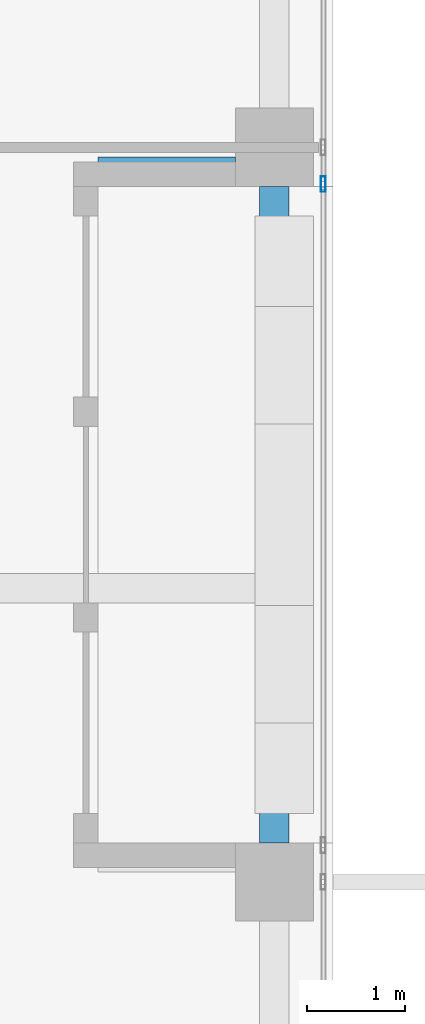
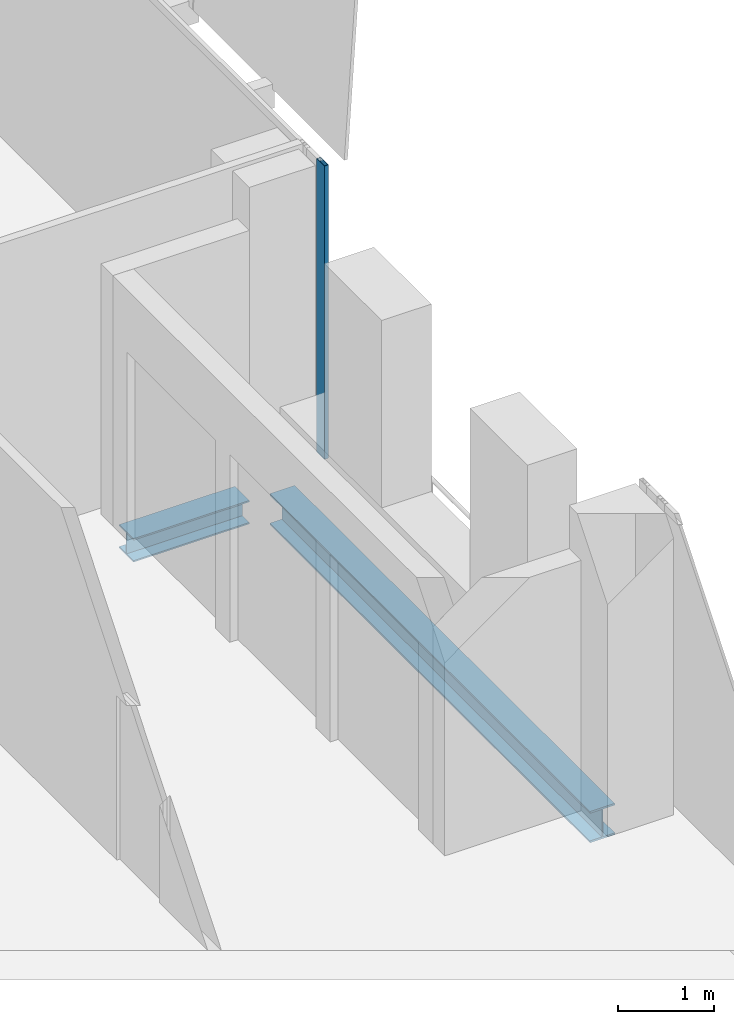
# One storey, part 10 of 32: 2 beams, 1 member, 1 element without a shape of its own.
"""IFC4 building model written with IfcOpenShell, lengths in metres."""

from ifc_helpers import new_model, si_unit, direction, frame, origin, origin_2d, place, context, subcontext, project, spatial, hollow_rectangle, i_section, extrude, source, transform, mapped, material, material_profile, profile_set, type_object, element, aggregate, save


model = new_model("IFC4")

# Units and contexts
model_context = context("Model", 3, precision=1e-05, world=origin(), true_north=direction((0.0, 1.0)))
body_context = subcontext(model_context, "Body", "Model", "MODEL_VIEW")
ifc_project = project(units=[si_unit("LENGTHUNIT", "METRE"), si_unit("AREAUNIT", "SQUARE_METRE"), si_unit("VOLUMEUNIT", "CUBIC_METRE"), si_unit("PLANEANGLEUNIT", "RADIAN"), si_unit("MASSUNIT", "GRAM", prefix="KILO")], contexts=[model_context])

# Site, building, storey
site_placement = place(None, origin())
site = spatial("IfcSite", under=ifc_project, at=site_placement, CompositionType="ELEMENT")
building_placement = place(site_placement, origin())
building = spatial("IfcBuilding", under=site, at=building_placement, Name="Khomas Fold Tower", CompositionType="ELEMENT")
storey_placement = place(building_placement, frame((0.0, 0.0, 318.199951171875)))
storey = spatial("IfcBuildingStorey", under=building, at=storey_placement, Name="L72", CompositionType="ELEMENT", Elevation=318.199951171875)

# Beams
ifc_material_1 = material(Name="Steel S355", Category="steel")
ifc_material_profile_1 = material_profile(ifc_material_1, i_section(OverallWidth=0.300048828125, OverallDepth=0.39990234375, WebThickness=0.013427734375, FlangeThickness=0.02392578125, at=origin_2d()), Name="HE 400 B")
ifc_profile_set_1 = profile_set([ifc_material_profile_1], Name="Steel S355")
beam_type_1 = type_object("IfcBeamType", Name="HE 400 B spandrel SB5", PredefinedType="SPANDREL", material=ifc_profile_set_1)
shared_shape_1 = source(origin(), body_context, "Body", "SweptSolid", [
    extrude(i_section(OverallWidth=0.300048828125, OverallDepth=0.39990234375, WebThickness=0.013427734375, FlangeThickness=0.02392578125, at=origin_2d()), origin(), (0.0, 0.0, 1.0), 6.7001953125),
])
beam_1_placement = place(storey_placement, frame((47.39990234375, 19.89990234375, -0.449951171875), z_axis=(0.0, 1.0, 0.0), x_axis=(-1.0, 0.0, 0.0)))
element("IfcBeam", 1, at=beam_1_placement, inside=storey, type_object=beam_type_1, Name="SB5", PredefinedType="SPANDREL", context=body_context, shape_type="MappedRepresentation", body=[
    mapped(shared_shape_1, transform((0.0, 0.0, 0.0))),
])
ifc_material_2 = material(Name="Steel S355", Category="steel")
ifc_material_profile_2 = material_profile(ifc_material_2, i_section(OverallWidth=0.300048828125, OverallDepth=0.300048828125, WebThickness=0.010986328125, FlangeThickness=0.01904296875, at=origin_2d()), Name="HE 300 B")
ifc_profile_set_2 = profile_set([ifc_material_profile_2], Name="Steel S355")
beam_type_2 = type_object("IfcBeamType", Name="HE 300 B beam BB1", PredefinedType="BEAM", material=ifc_profile_set_2)
shared_shape_2 = source(origin(), body_context, "Body", "SweptSolid", [
    extrude(i_section(OverallWidth=0.300048828125, OverallDepth=0.300048828125, WebThickness=0.010986328125, FlangeThickness=0.01904296875, at=origin_2d()), origin(), (0.0, 0.0, 1.0), 1.39990234375),
])
beam_2_placement = place(storey_placement, frame((45.60009765625, 26.75, -0.39990234375), z_axis=(1.0, 0.0, 0.0), x_axis=(0.0, 1.0, 0.0)))
element("IfcBeam", 2, at=beam_2_placement, inside=storey, type_object=beam_type_2, Name="BB1", PredefinedType="BEAM", context=body_context, shape_type="MappedRepresentation", body=[
    mapped(shared_shape_2, transform((0.0, 0.0, 0.0))),
])

# Curtain wall, member
ifc_material_3 = material(Name="Aluminium framed double glazing", Category="aluminium")
curtain_wall_type = type_object("IfcCurtainWallType", Name="SK-Unitised clear-glass wall, upper floors CW3", PredefinedType="NOTDEFINED", material=ifc_material_3)
curtain_wall_placement = place(storey_placement, origin())
curtain_wall = element("IfcCurtainWall", 3, at=curtain_wall_placement, inside=storey, type_object=curtain_wall_type, Name="CW3 run L72 03-1", PredefinedType="NOTDEFINED")
ifc_material_4 = material(Name="Aluminium", Category="aluminium")
ifc_material_profile_3 = material_profile(ifc_material_4, hollow_rectangle(XDim=0.050048828125, YDim=0.159912109375, WallThickness=0.00390625, at=origin_2d()), Name="SK-Unitised clear-glass wall, upper floors mullion CW3-M")
ifc_profile_set_3 = profile_set([ifc_material_profile_3], Name="Aluminium")
member_type = type_object("IfcMemberType", Name="SK-Unitised clear-glass wall, upper floors mullion CW3-M", PredefinedType="MULLION", material=ifc_profile_set_3)
shared_shape_3 = source(origin(), body_context, "Body", "SweptSolid", [
    extrude(hollow_rectangle(XDim=0.050048828125, YDim=0.159912109375, WallThickness=0.00390625, at=origin_2d()), origin(), (0.0, 0.0, 1.0), 3.75),
])
member_placement = place(storey_placement, frame((47.89990234375, 26.625, 0.0), z_axis=(0.0, 0.0, 1.0), x_axis=(-1.0, 0.0, 0.0)))
member = element("IfcMember", 4, at=member_placement, type_object=member_type, Name="CW3 mullion 1", PredefinedType="MULLION", context=body_context, shape_type="MappedRepresentation", body=[
    mapped(shared_shape_3, transform((0.0, 0.0, 0.0))),
])
aggregate(curtain_wall, [member])

save(model, "model.ifc")
